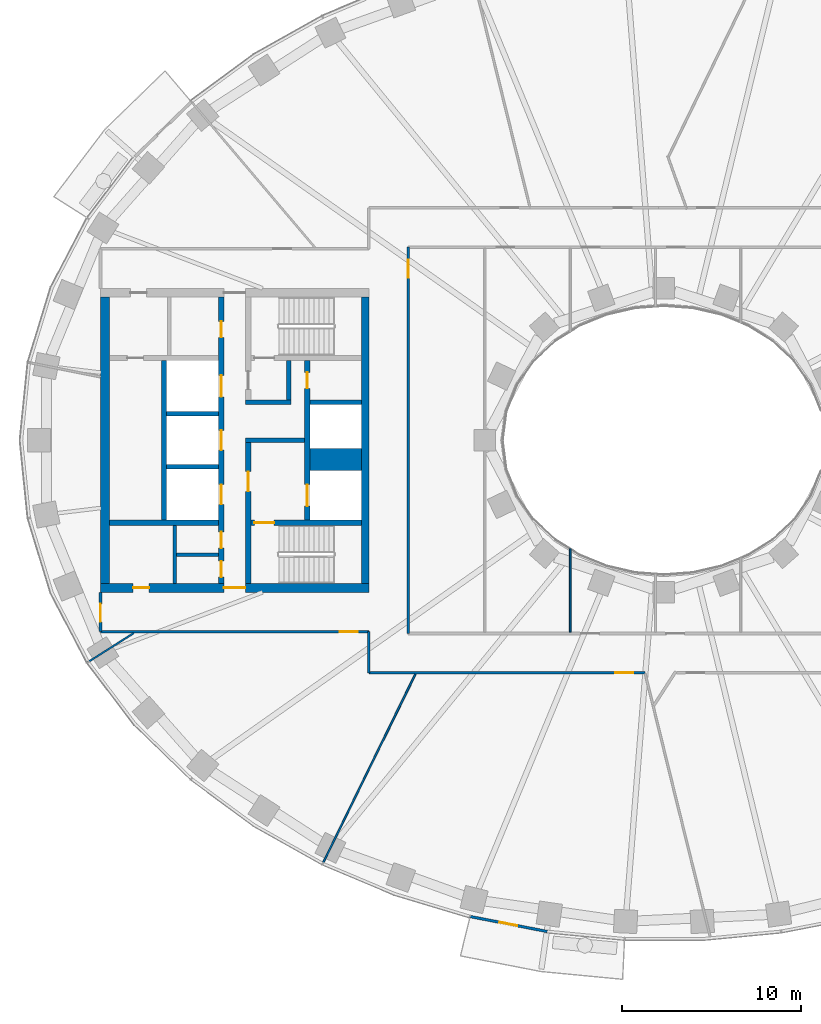
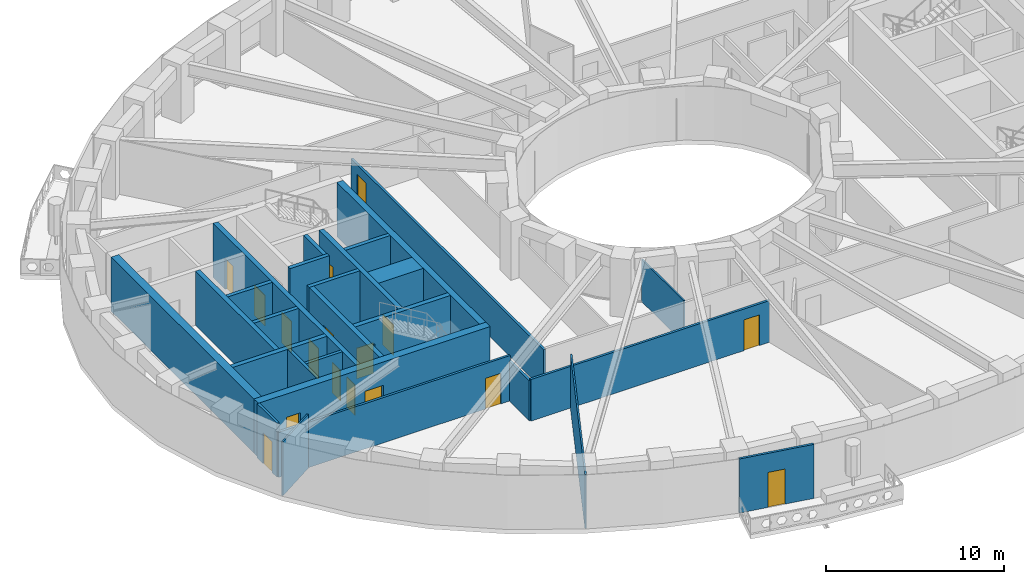
# One storey, part 3 of 16: 27 walls, 17 doors, 17 openings.
"""IFC4 building model written with IfcOpenShell, lengths in metres."""

from ifc_helpers import new_model, si_unit, direction, frame, frame_2d, origin, place, context, subcontext, project, spatial, rectangle, extrude, material, layer, layer_set, type_object, element, fill, save


model = new_model("IFC4")

# Units and contexts
model_context = context("Model", 3, precision=1e-05, world=origin(), true_north=direction((0.0, 1.0)))
body_context = subcontext(model_context, "Body", "Model", "MODEL_VIEW")
ifc_project = project(units=[si_unit("LENGTHUNIT", "METRE"), si_unit("AREAUNIT", "SQUARE_METRE"), si_unit("VOLUMEUNIT", "CUBIC_METRE"), si_unit("PLANEANGLEUNIT", "RADIAN"), si_unit("MASSUNIT", "GRAM", prefix="KILO")], contexts=[model_context])

# Site, building, storey
site_placement = place(None, origin())
site = spatial("IfcSite", under=ifc_project, at=site_placement, CompositionType="ELEMENT")
building_placement = place(site_placement, origin())
building = spatial("IfcBuilding", under=site, at=building_placement, Name="Noorbagh Ring Tower", CompositionType="ELEMENT")
storey_placement = place(building_placement, frame((0.0, 0.0, 100.0)))
storey = spatial("IfcBuildingStorey", under=building, at=storey_placement, Name="L22", CompositionType="ELEMENT", Elevation=100.0)

# Walls
ifc_material_1 = material(Name="Gypsum board on steel studs", Category="steel")
ifc_layer_1 = layer(ifc_material_1, 0.199951171875)
ifc_layer_set_1 = layer_set([ifc_layer_1], Name="Gypsum board on steel studs")
wall_type_1 = type_object("IfcWallType", Name="CORE-PARTITION-200", PredefinedType="PARTITIONING", material=ifc_layer_set_1)
wall_1_placement = place(storey_placement, frame((-27.35009765625, -8.0, 0.0), z_axis=(0.0, 0.0, 1.0), x_axis=(0.0, 1.0, 0.0)))
element("IfcWall", 1, at=wall_1_placement, inside=storey, type_object=wall_type_1, Name="Core partition W", PredefinedType="PARTITIONING", context=body_context, shape_type="SweptSolid", body=[
    extrude(rectangle(XDim=3.25, YDim=0.199951171875, at=frame_2d((1.625, 0.0))), origin(), (0.0, 0.0, 1.0), 3.699951171875),
])
wall_2_placement = place(storey_placement, frame((-24.89990234375, -6.39990234375, 0.0), z_axis=(0.0, 0.0, 1.0), x_axis=(-1.0, 0.0, 0.0)))
element("IfcWall", 2, at=wall_2_placement, inside=storey, type_object=wall_type_1, Name="Core partition W", PredefinedType="PARTITIONING", context=body_context, shape_type="SweptSolid", body=[
    extrude(rectangle(XDim=2.35009765625, YDim=0.199951171875, at=frame_2d((1.175048828125, 0.0))), origin(), (0.0, 0.0, 1.0), 3.699951171875),
])
ifc_material_2 = material(Name="Concrete C70/85", Category="concrete")
ifc_layer_2 = layer(ifc_material_2, 1.25)
ifc_layer_set_2 = layer_set([ifc_layer_2], Name="Concrete C70/85")
wall_type_2 = type_object("IfcWallType", Name="CORE-WALL-1250-C70-85-EI120", PredefinedType="SHEAR", material=ifc_layer_set_2)
wall_3_placement = place(storey_placement, frame((-16.89990234375, -1.074951171875, 0.0), z_axis=(0.0, 0.0, 1.0), x_axis=(-1.0, 0.0, 0.0)))
element("IfcWall", 3, at=wall_3_placement, inside=storey, type_object=wall_type_2, Name="Core wall W", PredefinedType="SHEAR", context=body_context, shape_type="SweptSolid", body=[
    extrude(rectangle(XDim=2.900146484375, YDim=1.25, at=frame_2d((1.4501953125, 0.0))), origin(), (0.0, 0.0, 1.0), 3.699951171875),
])
ifc_material_3 = material(Name="Concrete C70/85", Category="concrete")
ifc_layer_3 = layer(ifc_material_3, 0.25)
ifc_layer_set_3 = layer_set([ifc_layer_3], Name="Concrete C70/85")
wall_type_3 = type_object("IfcWallType", Name="CORE-WALL-250-C70-85-EI120", PredefinedType="SHEAR", material=ifc_layer_set_3)
for number, where, z_axis, x_axis, name in (
    (4, (-16.89990234375, 2.125, 0.0), (0.0, 0.0, 1.0), (-1.0, 0.0, 0.0), "Core wall W"),
    (5, (-24.89990234375, -1.47509765625, 0.0), (0.0, 0.0, 1.0), (-1.0, 0.0, 0.0), "Core wall W"),
    (6, (-24.89990234375, 1.47509765625, 0.0), (0.0, 0.0, 1.0), (-1.0, 0.0, 0.0), "Core wall W"),
):
    element("IfcWall", number, at=place(storey_placement, frame(where, z_axis=z_axis, x_axis=x_axis)), inside=storey, type_object=wall_type_3, Name=name, PredefinedType="SHEAR", context=body_context, shape_type="SweptSolid", body=[
        extrude(rectangle(XDim=2.900146484375, YDim=0.25, at=frame_2d((1.4501953125, 0.0))), origin(), (0.0, 0.0, 1.0), 3.699951171875),
    ])
ifc_material_4 = material(Name="Concrete C70/85", Category="concrete")
ifc_layer_4 = layer(ifc_material_4, 0.25)
ifc_layer_set_4 = layer_set([ifc_layer_4], Name="Concrete C70/85")
wall_type_4 = type_object("IfcWallType", Name="CORE-WALL-250-C70-85-EI240", PredefinedType="SHEAR", material=ifc_layer_set_4)
wall_4_placement = place(storey_placement, frame((-20.10009765625, 0.0, 0.0), z_axis=(0.0, 0.0, 1.0), x_axis=(-1.0, 0.0, 0.0)))
element("IfcWall", 7, at=wall_4_placement, inside=storey, type_object=wall_type_4, Name="Core wall W", PredefinedType="SHEAR", context=body_context, shape_type="SweptSolid", body=[
    extrude(rectangle(XDim=3.27978515625, YDim=0.25, at=frame_2d((1.639892578125, 0.0))), origin(), (0.0, 0.0, 1.0), 3.699951171875),
])
wall_5_placement = place(storey_placement, frame((-20.85009765625, 2.125, 0.0), z_axis=(0.0, 0.0, 1.0), x_axis=(-1.0, 0.0, 0.0)))
element("IfcWall", 8, at=wall_5_placement, inside=storey, type_object=wall_type_4, Name="Core wall W", PredefinedType="SHEAR", context=body_context, shape_type="SweptSolid", body=[
    extrude(rectangle(XDim=2.52978515625, YDim=0.25, at=frame_2d((1.264892578125, 0.0))), origin(), (0.0, 0.0, 1.0), 3.699951171875),
])
wall_6_placement = place(storey_placement, frame((-20.97509765625, 2.25, 0.0), z_axis=(0.0, 0.0, 1.0), x_axis=(0.0, 1.0, 0.0)))
element("IfcWall", 9, at=wall_6_placement, inside=storey, type_object=wall_type_4, Name="Core wall W", PredefinedType="SHEAR", context=body_context, shape_type="SweptSolid", body=[
    extrude(rectangle(XDim=2.199951171875, YDim=0.25, at=frame_2d((1.10009765625, 0.0))), origin(), (0.0, 0.0, 1.0), 3.699951171875),
])
ifc_material_5 = material(Name="Concrete C70/85", Category="concrete")
ifc_layer_5 = layer(ifc_material_5, 0.300048828125)
ifc_layer_set_5 = layer_set([ifc_layer_5], Name="Concrete C70/85")
wall_type_5 = type_object("IfcWallType", Name="CORE-WALL-300-C70-85-EI120", PredefinedType="SHEAR", material=ifc_layer_set_5)
wall_7_placement = place(storey_placement, frame((-27.949951171875, -4.449951171875, 0.0), z_axis=(0.0, 0.0, 1.0), x_axis=(0.0, 1.0, 0.0)))
element("IfcWall", 10, at=wall_7_placement, inside=storey, type_object=wall_type_5, Name="Core wall W", PredefinedType="SHEAR", context=body_context, shape_type="SweptSolid", body=[
    extrude(rectangle(XDim=8.89990234375, YDim=0.300048828125, at=frame_2d((4.449951171875, 0.0))), origin(), (0.0, 0.0, 1.0), 3.699951171875),
])

# Wall, openings, doors
wall_8_placement = place(storey_placement, frame((-19.949951171875, -4.449951171875, 0.0), z_axis=(0.0, 0.0, 1.0), x_axis=(0.0, 1.0, 0.0)))
wall_8 = element("IfcWall", 11, at=wall_8_placement, inside=storey, type_object=wall_type_5, Name="Core wall W", PredefinedType="SHEAR", context=body_context, shape_type="SweptSolid", body=[
    extrude(rectangle(XDim=8.89990234375, YDim=0.300048828125, at=frame_2d((4.449951171875, 0.0))), origin(), (0.0, 0.0, 1.0), 3.699951171875),
])
opening_1_placement = place(wall_8_placement, frame((0.77490234375, 0.0, 0.0)))
opening_1 = element("IfcOpeningElement", 12, at=opening_1_placement, cuts=wall_8, Name="Opening L22-CW01", PredefinedType="OPENING", context=body_context, shape_type="SweptSolid", body=[
    extrude(rectangle(XDim=1.199951171875, YDim=2.10009765625, at=frame_2d((0.60009765625, 1.050048828125))), frame((0.0, 0.16015625, 0.0), z_axis=(0.0, -1.0, 0.0), x_axis=(1.0, 0.0, 0.0)), (0.0, 0.0, 1.0), 0.320068359375),
])
opening_2_placement = place(wall_8_placement, frame((7.35009765625, 0.0, 0.0)))
opening_2 = element("IfcOpeningElement", 13, at=opening_2_placement, cuts=wall_8, Name="Opening L22-CW11", PredefinedType="OPENING", context=body_context, shape_type="SweptSolid", body=[
    extrude(rectangle(XDim=0.89990234375, YDim=2.10009765625, at=frame_2d((0.449951171875, 1.050048828125))), frame((0.0, 0.16015625, 0.0), z_axis=(0.0, -1.0, 0.0), x_axis=(1.0, 0.0, 0.0)), (0.0, 0.0, 1.0), 0.320068359375),
])
ifc_material_6 = material(Name="Steel door leaf", Category="steel")
door_type_1 = type_object("IfcDoorType", Name="CORE-DOOR-DROOM", OperationType="SINGLE_SWING_LEFT", PredefinedType="DOOR", material=ifc_material_6)
door_1_placement = place(opening_2_placement, origin())
door_1 = element("IfcDoor", 14, at=door_1_placement, inside=storey, type_object=door_type_1, Name="Core room door L22-CW11", OperationType="SINGLE_SWING_LEFT", OverallHeight=2.10009765625, OverallWidth=0.89990234375, PredefinedType="DOOR", context=body_context, shape_type="SweptSolid", body=[
    extrude(rectangle(XDim=0.89990234375, YDim=2.10009765625, at=frame_2d((0.449951171875, 1.050048828125))), frame((0.0, 0.02490234375, 0.0), z_axis=(0.0, -1.0, 0.0), x_axis=(1.0, 0.0, 0.0)), (0.0, 0.0, 1.0), 0.050048828125),
])
fill(opening_2, door_1)
ifc_material_7 = material(Name="Steel door leaf", Category="steel")
door_type_2 = type_object("IfcDoorType", Name="CORE-DOOR-LDW", OperationType="DOUBLE_DOOR_SLIDING", PredefinedType="DOOR", material=ifc_material_7)
door_2_placement = place(opening_1_placement, origin())
door_2 = element("IfcDoor", 15, at=door_2_placement, inside=storey, type_object=door_type_2, Name="Landing door FF1 L22-CW01", OperationType="DOUBLE_DOOR_SLIDING", OverallHeight=2.10009765625, OverallWidth=1.199951171875, PredefinedType="DOOR", context=body_context, shape_type="SweptSolid", body=[
    extrude(rectangle(XDim=1.199951171875, YDim=2.10009765625, at=frame_2d((0.60009765625, 1.050048828125))), frame((0.0, 0.02490234375, 0.0), z_axis=(0.0, -1.0, 0.0), x_axis=(1.0, 0.0, 0.0)), (0.0, 0.0, 1.0), 0.050048828125),
])
fill(opening_1, door_2)

wall_9_placement = place(storey_placement, frame((-24.75, -8.0, 0.0), z_axis=(0.0, 0.0, 1.0), x_axis=(0.0, 1.0, 0.0)))
wall_9 = element("IfcWall", 16, at=wall_9_placement, inside=storey, type_object=wall_type_5, Name="Core wall W", PredefinedType="SHEAR", context=body_context, shape_type="SweptSolid", body=[
    extrude(rectangle(XDim=16.0, YDim=0.300048828125, at=frame_2d((8.0, 0.0))), origin(), (0.0, 0.0, 1.0), 3.699951171875),
])
opening_3_placement = place(wall_9_placement, frame((4.425048828125, 0.0, 0.0)))
opening_3 = element("IfcOpeningElement", 17, at=opening_3_placement, cuts=wall_9, Name="Opening L22-CW02", PredefinedType="OPENING", context=body_context, shape_type="SweptSolid", body=[
    extrude(rectangle(XDim=1.10009765625, YDim=2.10009765625, at=frame_2d((0.550048828125, 1.050048828125))), frame((0.0, 0.16015625, 0.0), z_axis=(0.0, -1.0, 0.0), x_axis=(1.0, 0.0, 0.0)), (0.0, 0.0, 1.0), 0.320068359375),
])
opening_4_placement = place(wall_9_placement, frame((7.449951171875, 0.0, 0.0)))
opening_4 = element("IfcOpeningElement", 18, at=opening_4_placement, cuts=wall_9, Name="Opening L22-CW03", PredefinedType="OPENING", context=body_context, shape_type="SweptSolid", body=[
    extrude(rectangle(XDim=1.10009765625, YDim=2.10009765625, at=frame_2d((0.550048828125, 1.050048828125))), frame((0.0, 0.16015625, 0.0), z_axis=(0.0, -1.0, 0.0), x_axis=(1.0, 0.0, 0.0)), (0.0, 0.0, 1.0), 0.320068359375),
])
opening_5_placement = place(wall_9_placement, frame((10.425048828125, 0.0, 0.0)))
opening_5 = element("IfcOpeningElement", 19, at=opening_5_placement, cuts=wall_9, Name="Opening L22-CW04", PredefinedType="OPENING", context=body_context, shape_type="SweptSolid", body=[
    extrude(rectangle(XDim=1.199951171875, YDim=2.10009765625, at=frame_2d((0.60009765625, 1.050048828125))), frame((0.0, 0.16015625, 0.0), z_axis=(0.0, -1.0, 0.0), x_axis=(1.0, 0.0, 0.0)), (0.0, 0.0, 1.0), 0.320068359375),
])
opening_6_placement = place(wall_9_placement, frame((13.75, 0.0, 0.0)))
opening_6 = element("IfcOpeningElement", 20, at=opening_6_placement, cuts=wall_9, Name="Opening L22-CW12", PredefinedType="OPENING", context=body_context, shape_type="SweptSolid", body=[
    extrude(rectangle(XDim=0.89990234375, YDim=2.10009765625, at=frame_2d((0.449951171875, 1.050048828125))), frame((0.0, 0.16015625, 0.0), z_axis=(0.0, -1.0, 0.0), x_axis=(1.0, 0.0, 0.0)), (0.0, 0.0, 1.0), 0.320068359375),
])
opening_7_placement = place(wall_9_placement, frame((1.97509765625, 0.0, 0.0)))
opening_7 = element("IfcOpeningElement", 21, at=opening_7_placement, cuts=wall_9, Name="Opening L22-CW14", PredefinedType="OPENING", context=body_context, shape_type="SweptSolid", body=[
    extrude(rectangle(XDim=0.89990234375, YDim=2.10009765625, at=frame_2d((0.449951171875, 1.050048828125))), frame((0.0, 0.16015625, 0.0), z_axis=(0.0, -1.0, 0.0), x_axis=(1.0, 0.0, 0.0)), (0.0, 0.0, 1.0), 0.320068359375),
])
opening_8_placement = place(wall_9_placement, frame((0.35009765625, 0.0, 0.0)))
opening_8 = element("IfcOpeningElement", 22, at=opening_8_placement, cuts=wall_9, Name="Opening L22-CW15", PredefinedType="OPENING", context=body_context, shape_type="SweptSolid", body=[
    extrude(rectangle(XDim=0.89990234375, YDim=2.10009765625, at=frame_2d((0.449951171875, 1.050048828125))), frame((0.0, 0.16015625, 0.0), z_axis=(0.0, -1.0, 0.0), x_axis=(1.0, 0.0, 0.0)), (0.0, 0.0, 1.0), 0.320068359375),
])
door_3_placement = place(opening_6_placement, origin())
door_3 = element("IfcDoor", 23, at=door_3_placement, inside=storey, type_object=door_type_1, Name="Core room door L22-CW12", OperationType="SINGLE_SWING_RIGHT", OverallHeight=2.10009765625, OverallWidth=0.89990234375, PredefinedType="DOOR", context=body_context, shape_type="SweptSolid", body=[
    extrude(rectangle(XDim=0.89990234375, YDim=2.10009765625, at=frame_2d((0.449951171875, 1.050048828125))), frame((0.0, 0.02490234375, 0.0), z_axis=(0.0, -1.0, 0.0), x_axis=(1.0, 0.0, 0.0)), (0.0, 0.0, 1.0), 0.050048828125),
])
fill(opening_6, door_3)
door_4_placement = place(opening_7_placement, origin())
door_4 = element("IfcDoor", 24, at=door_4_placement, inside=storey, type_object=door_type_1, Name="Core room door L22-CW14", OperationType="SINGLE_SWING_RIGHT", OverallHeight=2.10009765625, OverallWidth=0.89990234375, PredefinedType="DOOR", context=body_context, shape_type="SweptSolid", body=[
    extrude(rectangle(XDim=0.89990234375, YDim=2.10009765625, at=frame_2d((0.449951171875, 1.050048828125))), frame((0.0, 0.02490234375, 0.0), z_axis=(0.0, -1.0, 0.0), x_axis=(1.0, 0.0, 0.0)), (0.0, 0.0, 1.0), 0.050048828125),
])
fill(opening_7, door_4)
door_5_placement = place(opening_8_placement, origin())
door_5 = element("IfcDoor", 25, at=door_5_placement, inside=storey, type_object=door_type_1, Name="Core room door L22-CW15", OperationType="SINGLE_SWING_LEFT", OverallHeight=2.10009765625, OverallWidth=0.89990234375, PredefinedType="DOOR", context=body_context, shape_type="SweptSolid", body=[
    extrude(rectangle(XDim=0.89990234375, YDim=2.10009765625, at=frame_2d((0.449951171875, 1.050048828125))), frame((0.0, 0.02490234375, 0.0), z_axis=(0.0, -1.0, 0.0), x_axis=(1.0, 0.0, 0.0)), (0.0, 0.0, 1.0), 0.050048828125),
])
fill(opening_8, door_5)
ifc_material_8 = material(Name="Steel door leaf", Category="steel")
door_type_3 = type_object("IfcDoorType", Name="CORE-DOOR-LD", OperationType="DOUBLE_DOOR_SLIDING", PredefinedType="DOOR", material=ifc_material_8)
door_6_placement = place(opening_3_placement, origin())
door_6 = element("IfcDoor", 26, at=door_6_placement, inside=storey, type_object=door_type_3, Name="Landing door LR1 L22-CW02", OperationType="DOUBLE_DOOR_SLIDING", OverallHeight=2.10009765625, OverallWidth=1.10009765625, PredefinedType="DOOR", context=body_context, shape_type="SweptSolid", body=[
    extrude(rectangle(XDim=1.10009765625, YDim=2.10009765625, at=frame_2d((0.550048828125, 1.050048828125))), frame((0.0, 0.02490234375, 0.0), z_axis=(0.0, -1.0, 0.0), x_axis=(1.0, 0.0, 0.0)), (0.0, 0.0, 1.0), 0.050048828125),
])
fill(opening_3, door_6)
door_7_placement = place(opening_4_placement, origin())
door_7 = element("IfcDoor", 27, at=door_7_placement, inside=storey, type_object=door_type_3, Name="Landing door LR2 L22-CW03", OperationType="DOUBLE_DOOR_SLIDING", OverallHeight=2.10009765625, OverallWidth=1.10009765625, PredefinedType="DOOR", context=body_context, shape_type="SweptSolid", body=[
    extrude(rectangle(XDim=1.10009765625, YDim=2.10009765625, at=frame_2d((0.550048828125, 1.050048828125))), frame((0.0, 0.02490234375, 0.0), z_axis=(0.0, -1.0, 0.0), x_axis=(1.0, 0.0, 0.0)), (0.0, 0.0, 1.0), 0.050048828125),
])
fill(opening_4, door_7)
door_8_placement = place(opening_5_placement, origin())
door_8 = element("IfcDoor", 28, at=door_8_placement, inside=storey, type_object=door_type_2, Name="Landing door SV1 L22-CW04", OperationType="DOUBLE_DOOR_SLIDING", OverallHeight=2.10009765625, OverallWidth=1.199951171875, PredefinedType="DOOR", context=body_context, shape_type="SweptSolid", body=[
    extrude(rectangle(XDim=1.199951171875, YDim=2.10009765625, at=frame_2d((0.60009765625, 1.050048828125))), frame((0.0, 0.02490234375, 0.0), z_axis=(0.0, -1.0, 0.0), x_axis=(1.0, 0.0, 0.0)), (0.0, 0.0, 1.0), 0.050048828125),
])
fill(opening_5, door_8)

# Wall
ifc_material_9 = material(Name="Concrete C70/85", Category="concrete")
ifc_layer_6 = layer(ifc_material_9, 0.300048828125)
ifc_layer_set_6 = layer_set([ifc_layer_6], Name="Concrete C70/85")
wall_type_6 = type_object("IfcWallType", Name="CORE-WALL-300-C70-85-EI240", PredefinedType="SHEAR", material=ifc_layer_set_6)
wall_10_placement = place(storey_placement, frame((-24.89990234375, -4.60009765625, 0.0), z_axis=(0.0, 0.0, 1.0), x_axis=(-1.0, 0.0, 0.0)))
element("IfcWall", 29, at=wall_10_placement, inside=storey, type_object=wall_type_6, Name="Core wall W", PredefinedType="SHEAR", context=body_context, shape_type="SweptSolid", body=[
    extrude(rectangle(XDim=6.10009765625, YDim=0.300048828125, at=frame_2d((3.050048828125, 0.0))), origin(), (0.0, 0.0, 1.0), 3.699951171875),
])

# Wall, opening, door
wall_11_placement = place(storey_placement, frame((-23.22998046875, -8.0, 0.0), z_axis=(0.0, 0.0, 1.0), x_axis=(0.0, 1.0, 0.0)))
wall_11 = element("IfcWall", 30, at=wall_11_placement, inside=storey, type_object=wall_type_6, Name="Core wall W", PredefinedType="SHEAR", context=body_context, shape_type="SweptSolid", body=[
    extrude(rectangle(XDim=7.875, YDim=0.300048828125, at=frame_2d((3.9375, 0.0))), origin(), (0.0, 0.0, 1.0), 3.699951171875),
])
opening_9_placement = place(wall_11_placement, frame((5.14990234375, 0.0, 0.0)))
opening_9 = element("IfcOpeningElement", 31, at=opening_9_placement, cuts=wall_11, Name="Opening L22-CW07", PredefinedType="OPENING", context=body_context, shape_type="SweptSolid", body=[
    extrude(rectangle(XDim=1.10009765625, YDim=2.10009765625, at=frame_2d((0.550048828125, 1.050048828125))), frame((0.0, 0.16015625, 0.0), z_axis=(0.0, -1.0, 0.0), x_axis=(1.0, 0.0, 0.0)), (0.0, 0.0, 1.0), 0.320068359375),
])
ifc_material_10 = material(Name="Steel door leaf", Category="steel")
door_type_4 = type_object("IfcDoorType", Name="CORE-DOOR-DFF", OperationType="SINGLE_SWING_LEFT", PredefinedType="DOOR", material=ifc_material_10)
door_9_placement = place(opening_9_placement, origin())
door_9 = element("IfcDoor", 32, at=door_9_placement, inside=storey, type_object=door_type_4, Name="Firefighting lobby door L22-CW07", OperationType="SINGLE_SWING_LEFT", OverallHeight=2.10009765625, OverallWidth=1.10009765625, PredefinedType="DOOR", context=body_context, shape_type="SweptSolid", body=[
    extrude(rectangle(XDim=1.10009765625, YDim=2.10009765625, at=frame_2d((0.550048828125, 1.050048828125))), frame((0.0, 0.02490234375, 0.0), z_axis=(0.0, -1.0, 0.0), x_axis=(1.0, 0.0, 0.0)), (0.0, 0.0, 1.0), 0.050048828125),
])
fill(opening_9, door_9)

wall_12_placement = place(storey_placement, frame((-16.89990234375, -4.60009765625, 0.0), z_axis=(0.0, 0.0, 1.0), x_axis=(-1.0, 0.0, 0.0)))
wall_12 = element("IfcWall", 33, at=wall_12_placement, inside=storey, type_object=wall_type_6, Name="Core wall W", PredefinedType="SHEAR", context=body_context, shape_type="SweptSolid", body=[
    extrude(rectangle(XDim=6.18017578125, YDim=0.300048828125, at=frame_2d((3.090087890625, 0.0))), origin(), (0.0, 0.0, 1.0), 3.699951171875),
])
opening_10_placement = place(wall_12_placement, frame((4.89990234375, 0.0, 0.0)))
opening_10 = element("IfcOpeningElement", 34, at=opening_10_placement, cuts=wall_12, Name="Opening L22-CW06", PredefinedType="OPENING", context=body_context, shape_type="SweptSolid", body=[
    extrude(rectangle(XDim=1.10009765625, YDim=2.10009765625, at=frame_2d((0.550048828125, 1.050048828125))), frame((0.0, 0.16015625, 0.0), z_axis=(0.0, -1.0, 0.0), x_axis=(1.0, 0.0, 0.0)), (0.0, 0.0, 1.0), 0.320068359375),
])
ifc_material_11 = material(Name="Steel door leaf", Category="steel")
door_type_5 = type_object("IfcDoorType", Name="CORE-DOOR-DSTAIR", OperationType="SINGLE_SWING_LEFT", PredefinedType="DOOR", material=ifc_material_11)
door_10_placement = place(opening_10_placement, origin())
door_10 = element("IfcDoor", 35, at=door_10_placement, inside=storey, type_object=door_type_5, Name="Stair door ST2 L22-CW06", OperationType="SINGLE_SWING_LEFT", OverallHeight=2.10009765625, OverallWidth=1.10009765625, PredefinedType="DOOR", context=body_context, shape_type="SweptSolid", body=[
    extrude(rectangle(XDim=1.10009765625, YDim=2.10009765625, at=frame_2d((0.550048828125, 1.050048828125))), frame((0.0, 0.02490234375, 0.0), z_axis=(0.0, -1.0, 0.0), x_axis=(1.0, 0.0, 0.0)), (0.0, 0.0, 1.0), 0.050048828125),
])
fill(opening_10, door_10)

# Wall
ifc_material_12 = material(Name="Concrete C70/85", Category="concrete")
ifc_layer_7 = layer(ifc_material_12, 0.39990234375)
ifc_layer_set_7 = layer_set([ifc_layer_7], Name="Concrete C70/85")
wall_type_7 = type_object("IfcWallType", Name="CORE-WALL-400-C70-85-EI240", PredefinedType="SHEAR", material=ifc_layer_set_7)
wall_13_placement = place(storey_placement, frame((-16.699951171875, -8.0, 0.0), z_axis=(0.0, 0.0, 1.0), x_axis=(0.0, 1.0, 0.0)))
element("IfcWall", 36, at=wall_13_placement, inside=storey, type_object=wall_type_7, Name="Core wall W", PredefinedType="SHEAR", context=body_context, shape_type="SweptSolid", body=[
    extrude(rectangle(XDim=16.0, YDim=0.39990234375, at=frame_2d((8.0, 0.0))), origin(), (0.0, 0.0, 1.0), 3.699951171875),
])

# Wall, openings, doors
ifc_material_13 = material(Name="Concrete C70/85", Category="concrete")
ifc_layer_8 = layer(ifc_material_13, 0.5)
ifc_layer_set_8 = layer_set([ifc_layer_8], Name="Concrete C70/85")
wall_type_8 = type_object("IfcWallType", Name="CORE-WALL-500-C70-85-EI240", PredefinedType="SHEAR", material=ifc_layer_set_8)
wall_14_placement = place(storey_placement, frame((-16.5, -8.25, 0.0), z_axis=(0.0, 0.0, 1.0), x_axis=(-1.0, 0.0, 0.0)))
wall_14 = element("IfcWall", 37, at=wall_14_placement, inside=storey, type_object=wall_type_8, Name="Core wall W", PredefinedType="SHEAR", context=body_context, shape_type="SweptSolid", body=[
    extrude(rectangle(XDim=15.0, YDim=0.5, at=frame_2d((7.5, 0.0))), origin(), (0.0, 0.0, 1.0), 3.699951171875),
])
opening_11_placement = place(wall_14_placement, frame((6.89990234375, 0.0, 0.0)))
opening_11 = element("IfcOpeningElement", 38, at=opening_11_placement, cuts=wall_14, Name="Opening L22-CW10", PredefinedType="OPENING", context=body_context, shape_type="SweptSolid", body=[
    extrude(rectangle(XDim=1.199951171875, YDim=2.10009765625, at=frame_2d((0.60009765625, 1.050048828125))), frame((0.0, 0.260009765625, 0.0), z_axis=(0.0, -1.0, 0.0), x_axis=(1.0, 0.0, 0.0)), (0.0, 0.0, 1.0), 0.52001953125),
])
opening_12_placement = place(wall_14_placement, frame((12.27490234375, 0.0, 0.0)))
opening_12 = element("IfcOpeningElement", 39, at=opening_12_placement, cuts=wall_14, Name="Opening L22-CW16", PredefinedType="OPENING", context=body_context, shape_type="SweptSolid", body=[
    extrude(rectangle(XDim=0.89990234375, YDim=2.10009765625, at=frame_2d((0.449951171875, 1.050048828125))), frame((0.0, 0.260009765625, 0.0), z_axis=(0.0, -1.0, 0.0), x_axis=(1.0, 0.0, 0.0)), (0.0, 0.0, 1.0), 0.52001953125),
])
door_11_placement = place(opening_12_placement, origin())
door_11 = element("IfcDoor", 40, at=door_11_placement, inside=storey, type_object=door_type_1, Name="Core room door L22-CW16", OperationType="SINGLE_SWING_LEFT", OverallHeight=2.10009765625, OverallWidth=0.89990234375, PredefinedType="DOOR", context=body_context, shape_type="SweptSolid", body=[
    extrude(rectangle(XDim=0.89990234375, YDim=2.10009765625, at=frame_2d((0.449951171875, 1.050048828125))), frame((0.0, 0.02490234375, 0.0), z_axis=(0.0, -1.0, 0.0), x_axis=(1.0, 0.0, 0.0)), (0.0, 0.0, 1.0), 0.050048828125),
])
fill(opening_12, door_11)
ifc_material_14 = material(Name="Steel door leaf", Category="steel")
door_type_6 = type_object("IfcDoorType", Name="CORE-DOOR-PORT", OperationType="DOUBLE_DOOR_DOUBLE_SWING", PredefinedType="DOOR", material=ifc_material_14)
door_12_placement = place(opening_11_placement, origin())
door_12 = element("IfcDoor", 41, at=door_12_placement, inside=storey, type_object=door_type_6, Name="Core entrance door L22-CW10", OperationType="DOUBLE_DOOR_DOUBLE_SWING", OverallHeight=2.10009765625, OverallWidth=1.199951171875, PredefinedType="DOOR", context=body_context, shape_type="SweptSolid", body=[
    extrude(rectangle(XDim=1.199951171875, YDim=2.10009765625, at=frame_2d((0.60009765625, 1.050048828125))), frame((0.0, 0.02490234375, 0.0), z_axis=(0.0, -1.0, 0.0), x_axis=(1.0, 0.0, 0.0)), (0.0, 0.0, 1.0), 0.050048828125),
])
fill(opening_11, door_12)

# Wall
wall_15_placement = place(storey_placement, frame((-31.25, -8.0, 0.0), z_axis=(0.0, 0.0, 1.0), x_axis=(0.0, 1.0, 0.0)))
element("IfcWall", 42, at=wall_15_placement, inside=storey, type_object=wall_type_8, Name="Core wall W", PredefinedType="SHEAR", context=body_context, shape_type="SweptSolid", body=[
    extrude(rectangle(XDim=16.0, YDim=0.5, at=frame_2d((8.0, 0.0))), origin(), (0.0, 0.0, 1.0), 3.699951171875),
])

# Wall, opening, door
ifc_material_15 = material(Name="Gypsum board on steel studs", Category="steel")
ifc_layer_9 = layer(ifc_material_15, 0.14990234375)
ifc_layer_set_9 = layer_set([ifc_layer_9], Name="Gypsum board on steel studs")
wall_type_9 = type_object("IfcWallType", Name="CORRIDOR PARTITION 150 EI 30", PredefinedType="PARTITIONING", material=ifc_layer_set_9)
wall_16_placement = place(storey_placement, frame((-31.5, -10.699951171875, 0.0), z_axis=(0.0, 0.0, 1.0), x_axis=(0.0, 1.0, 0.0)))
wall_16 = element("IfcWall", 43, at=wall_16_placement, inside=storey, type_object=wall_type_9, Name="L22/wall/P03", PredefinedType="PARTITIONING", context=body_context, shape_type="SweptSolid", body=[
    extrude(rectangle(XDim=2.199951171875, YDim=0.14990234375, at=frame_2d((1.10009765625, 0.0))), origin(), (0.0, 0.0, 1.0), 3.699951171875),
])
opening_13_placement = place(wall_16_placement, frame((0.550048828125, 0.0, 0.0)))
opening_13 = element("IfcOpeningElement", 44, at=opening_13_placement, cuts=wall_16, Name="Opening D1", PredefinedType="OPENING", context=body_context, shape_type="SweptSolid", body=[
    extrude(rectangle(XDim=1.0, YDim=2.10009765625, at=frame_2d((0.5, 1.050048828125))), frame((0.0, 0.0849609375, 0.0), z_axis=(0.0, -1.0, 0.0), x_axis=(1.0, 0.0, 0.0)), (0.0, 0.0, 1.0), 0.169921875),
])
ifc_material_16 = material(Name="Timber, painted", Category="wood")
door_type_7 = type_object("IfcDoorType", Name="DOOR 1000 X 2100 FD30", OperationType="SINGLE_SWING_LEFT", PredefinedType="DOOR", material=ifc_material_16)
door_13_placement = place(opening_13_placement, origin())
door_13 = element("IfcDoor", 45, at=door_13_placement, inside=storey, type_object=door_type_7, Name="L22-D06", OperationType="SINGLE_SWING_RIGHT", OverallHeight=2.10009765625, OverallWidth=1.0, PredefinedType="DOOR", context=body_context, shape_type="SweptSolid", body=[
    extrude(rectangle(XDim=1.0, YDim=2.10009765625, at=frame_2d((0.5, 1.050048828125))), frame((0.0, 0.02490234375, 0.0), z_axis=(0.0, -1.0, 0.0), x_axis=(1.0, 0.0, 0.0)), (0.0, 0.0, 1.0), 0.050048828125),
])
fill(opening_13, door_13)

wall_17_placement = place(storey_placement, frame((-31.5, -10.699951171875, 0.0), z_axis=(0.0, 0.0, 1.0), x_axis=(1.0, 0.0, 0.0)))
wall_17 = element("IfcWall", 46, at=wall_17_placement, inside=storey, type_object=wall_type_9, Name="L22/wall/P04", PredefinedType="PARTITIONING", context=body_context, shape_type="SweptSolid", body=[
    extrude(rectangle(XDim=15.0, YDim=0.14990234375, at=frame_2d((7.5, 0.0))), origin(), (0.0, 0.0, 1.0), 3.10009765625),
])
opening_14_placement = place(wall_17_placement, frame((13.37890625, 0.0, 0.0)))
opening_14 = element("IfcOpeningElement", 47, at=opening_14_placement, cuts=wall_17, Name="Opening D1", PredefinedType="OPENING", context=body_context, shape_type="SweptSolid", body=[
    extrude(rectangle(XDim=1.0, YDim=2.10009765625, at=frame_2d((0.5, 1.050048828125))), frame((0.0, 0.0849609375, 0.0), z_axis=(0.0, -1.0, 0.0), x_axis=(1.0, 0.0, 0.0)), (0.0, 0.0, 1.0), 0.169921875),
])
door_14_placement = place(opening_14_placement, origin())
door_14 = element("IfcDoor", 48, at=door_14_placement, inside=storey, type_object=door_type_7, Name="L22-D08", OperationType="SINGLE_SWING_RIGHT", OverallHeight=2.10009765625, OverallWidth=1.0, PredefinedType="DOOR", context=body_context, shape_type="SweptSolid", body=[
    extrude(rectangle(XDim=1.0, YDim=2.10009765625, at=frame_2d((0.5, 1.050048828125))), frame((0.0, 0.02490234375, 0.0), z_axis=(0.0, -1.0, 0.0), x_axis=(1.0, 0.0, 0.0)), (0.0, 0.0, 1.0), 0.050048828125),
])
fill(opening_14, door_14)

# Wall
wall_18_placement = place(storey_placement, frame((-16.5, -13.0, 0.0), z_axis=(0.0, 0.0, 1.0), x_axis=(0.0, 1.0, 0.0)))
element("IfcWall", 49, at=wall_18_placement, inside=storey, type_object=wall_type_9, Name="L22/wall/P09", PredefinedType="PARTITIONING", context=body_context, shape_type="SweptSolid", body=[
    extrude(rectangle(XDim=2.300048828125, YDim=0.14990234375, at=frame_2d((1.14990234375, 0.0))), origin(), (0.0, 0.0, 1.0), 2.75),
])

# Wall, opening, door
wall_19_placement = place(storey_placement, frame((-16.5, -13.0, 0.0), z_axis=(0.0, 0.0, 1.0), x_axis=(1.0, 0.0, 0.0)))
wall_19 = element("IfcWall", 50, at=wall_19_placement, inside=storey, type_object=wall_type_9, Name="L22/wall/P10", PredefinedType="PARTITIONING", context=body_context, shape_type="SweptSolid", body=[
    extrude(rectangle(XDim=15.43896484375, YDim=0.14990234375, at=frame_2d((7.719482421875, 0.0))), origin(), (0.0, 0.0, 1.0), 2.85009765625),
])
opening_15_placement = place(wall_19_placement, frame((13.779052734375, 0.0, 0.0)))
opening_15 = element("IfcOpeningElement", 51, at=opening_15_placement, cuts=wall_19, Name="Opening D1", PredefinedType="OPENING", context=body_context, shape_type="SweptSolid", body=[
    extrude(rectangle(XDim=1.0, YDim=2.10009765625, at=frame_2d((0.5, 1.050048828125))), frame((0.0, 0.0849609375, 0.0), z_axis=(0.0, -1.0, 0.0), x_axis=(1.0, 0.0, 0.0)), (0.0, 0.0, 1.0), 0.169921875),
])
door_15_placement = place(opening_15_placement, origin())
door_15 = element("IfcDoor", 52, at=door_15_placement, inside=storey, type_object=door_type_7, Name="L22-D10", OperationType="SINGLE_SWING_RIGHT", OverallHeight=2.10009765625, OverallWidth=1.0, PredefinedType="DOOR", context=body_context, shape_type="SweptSolid", body=[
    extrude(rectangle(XDim=1.0, YDim=2.10009765625, at=frame_2d((0.5, 1.050048828125))), frame((0.0, 0.02490234375, 0.0), z_axis=(0.0, -1.0, 0.0), x_axis=(1.0, 0.0, 0.0)), (0.0, 0.0, 1.0), 0.050048828125),
])
fill(opening_15, door_15)

wall_20_placement = place(storey_placement, frame((-14.300048828125, -10.800048828125, 0.0), z_axis=(0.0, 0.0, 1.0), x_axis=(0.0, 1.0, 0.0)))
wall_20 = element("IfcWall", 53, at=wall_20_placement, inside=storey, type_object=wall_type_9, Name="L22/wall/P13", PredefinedType="PARTITIONING", context=body_context, shape_type="SweptSolid", body=[
    extrude(rectangle(XDim=21.60009765625, YDim=0.14990234375, at=frame_2d((10.800048828125, 0.0))), origin(), (0.0, 0.0, 1.0), 2.75),
])
opening_16_placement = place(wall_20_placement, frame((19.89990234375, 0.0, 0.0)))
opening_16 = element("IfcOpeningElement", 54, at=opening_16_placement, cuts=wall_20, Name="Opening D1", PredefinedType="OPENING", context=body_context, shape_type="SweptSolid", body=[
    extrude(rectangle(XDim=1.0, YDim=2.10009765625, at=frame_2d((0.5, 1.050048828125))), frame((0.0, 0.0849609375, 0.0), z_axis=(0.0, -1.0, 0.0), x_axis=(1.0, 0.0, 0.0)), (0.0, 0.0, 1.0), 0.169921875),
])
door_16_placement = place(opening_16_placement, origin())
door_16 = element("IfcDoor", 55, at=door_16_placement, inside=storey, type_object=door_type_7, Name="L22-D16", OperationType="SINGLE_SWING_RIGHT", OverallHeight=2.10009765625, OverallWidth=1.0, PredefinedType="DOOR", context=body_context, shape_type="SweptSolid", body=[
    extrude(rectangle(XDim=1.0, YDim=2.10009765625, at=frame_2d((0.5, 1.050048828125))), frame((0.0, 0.02490234375, 0.0), z_axis=(0.0, -1.0, 0.0), x_axis=(1.0, 0.0, 0.0)), (0.0, 0.0, 1.0), 0.050048828125),
])
fill(opening_16, door_16)

ifc_material_17 = material(Name="Insulated aluminium clad panel", Category="aluminium")
ifc_layer_10 = layer(ifc_material_17, 0.14990234375)
ifc_layer_set_10 = layer_set([ifc_layer_10], Name="Insulated aluminium clad panel")
wall_type_10 = type_object("IfcWallType", Name="ENV-WALL-DOOR", PredefinedType="STANDARD", material=ifc_layer_set_10)
wall_21_placement = place(storey_placement, frame((-10.87060546875, -26.616943359375, 0.0), z_axis=(0.0, 0.0, 1.0), x_axis=(0.981631174778, -0.190788460615, 0.0)))
wall_21 = element("IfcWall", 56, at=wall_21_placement, inside=storey, type_object=wall_type_10, Name="Balcony door wall chord 33", PredefinedType="STANDARD", context=body_context, shape_type="SweptSolid", body=[
    extrude(rectangle(XDim=4.42626953125, YDim=0.14990234375, at=frame_2d((2.213134765625, 0.0))), origin(), (0.0, 0.0, 1.0), 3.699951171875),
])
opening_17_placement = place(wall_21_placement, frame((1.713134765625, 0.0, 0.0)))
opening_17 = element("IfcOpeningElement", 57, at=opening_17_placement, cuts=wall_21, Name="Opening D-BL", PredefinedType="OPENING", context=body_context, shape_type="SweptSolid", body=[
    extrude(rectangle(XDim=1.0, YDim=2.39990234375, at=frame_2d((0.5, 1.199951171875))), frame((0.0, 0.0849609375, 0.0), z_axis=(0.0, -1.0, 0.0), x_axis=(1.0, 0.0, 0.0)), (0.0, 0.0, 1.0), 0.169921875),
])
ifc_material_18 = material(Name="Aluminium and glass", Category="aluminium")
door_type_8 = type_object("IfcDoorType", Name="ENV-DOOR-BALCONY", OperationType="SINGLE_SWING_LEFT", PredefinedType="DOOR", material=ifc_material_18)
door_17_placement = place(opening_17_placement, origin())
door_17 = element("IfcDoor", 58, at=door_17_placement, inside=storey, type_object=door_type_8, Name="Balcony door chord 33", OperationType="SINGLE_SWING_LEFT", OverallHeight=2.39990234375, OverallWidth=1.0, PredefinedType="DOOR", context=body_context, shape_type="SweptSolid", body=[
    extrude(rectangle(XDim=1.0, YDim=2.39990234375, at=frame_2d((0.5, 1.199951171875))), frame((0.0, 0.02490234375, 0.0), z_axis=(0.0, -1.0, 0.0), x_axis=(1.0, 0.0, 0.0)), (0.0, 0.0, 1.0), 0.050048828125),
])
fill(opening_17, door_17)

# Walls
ifc_material_19 = material(Name="Gypsum board on steel studs", Category="steel")
ifc_layer_11 = layer(ifc_material_19, 0.10009765625)
ifc_layer_set_11 = layer_set([ifc_layer_11], Name="Gypsum board on steel studs")
wall_type_11 = type_object("IfcWallType", Name="PARTITION 100 GYPSUM", PredefinedType="PARTITIONING", material=ifc_layer_set_11)
wall_22_placement = place(storey_placement, frame((-32.2119140625, -12.407958984375, 0.0), z_axis=(0.0, 0.0, 1.0), x_axis=(0.844810627195, 0.535065420467, 0.0)))
element("IfcWall", 59, at=wall_22_placement, inside=storey, type_object=wall_type_11, Name="L22/wall/P02", PredefinedType="PARTITIONING", context=body_context, shape_type="SweptSolid", body=[
    extrude(rectangle(XDim=3.0478515625, YDim=0.10009765625, at=frame_2d((1.52392578125, 0.0))), origin(), (0.0, 0.0, 1.0), 3.699951171875),
])
wall_23_placement = place(storey_placement, frame((-19.0859375, -23.68505859375, 0.0), z_axis=(0.0, 0.0, 1.0), x_axis=(0.439199750603, 0.898389436197, 0.0)))
element("IfcWall", 60, at=wall_23_placement, inside=storey, type_object=wall_type_11, Name="L22/wall/P08", PredefinedType="PARTITIONING", context=body_context, shape_type="SweptSolid", body=[
    extrude(rectangle(XDim=11.81005859375, YDim=0.10009765625, at=frame_2d((5.905029296875, 0.0))), origin(), (0.0, 0.0, 1.0), 3.699951171875),
])
wall_24_placement = place(storey_placement, frame((-5.242919921875, -10.72509765625, 0.0), z_axis=(0.0, 0.0, 1.0), x_axis=(0.0, 1.0, 0.0)))
element("IfcWall", 61, at=wall_24_placement, inside=storey, type_object=wall_type_11, Name="L22/wall/P19", PredefinedType="PARTITIONING", context=body_context, shape_type="SweptSolid", body=[
    extrude(rectangle(XDim=4.666015625, YDim=0.10009765625, at=frame_2d((2.3330078125, 0.0))), origin(), (0.0, 0.0, 1.0), 2.89990234375),
])

save(model, "model.ifc")
